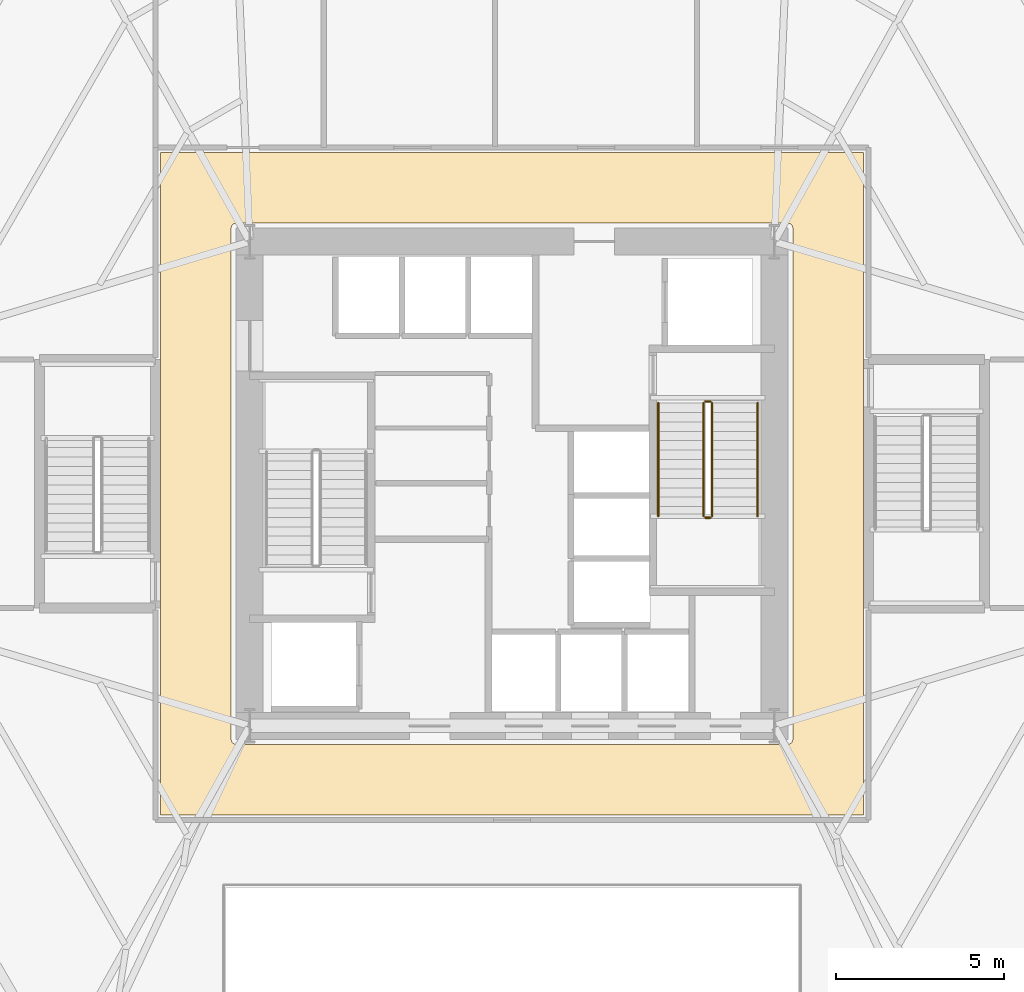
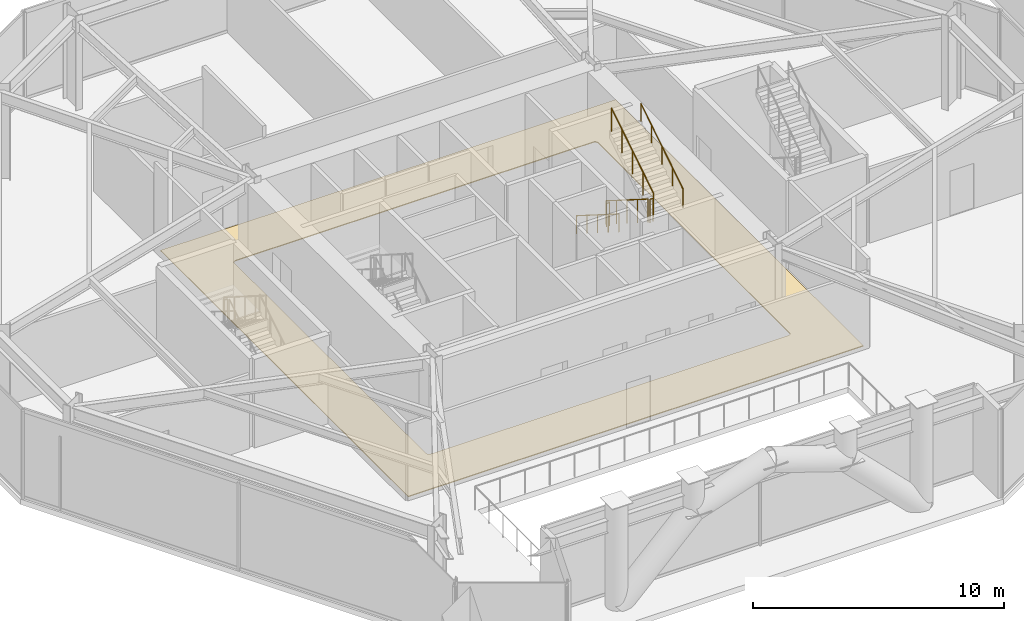
# One storey, part 21 of 23: 6 railings, 1 covering.
"""IFC4 building model written with IfcOpenShell, lengths in metres."""

from ifc_helpers import new_model, si_unit, direction, frame, origin, origin_2d, place, context, subcontext, project, spatial, polyline, circle, outline, extrude, material, layer, layer_set, type_object, element, save


model = new_model("IFC4")

# Units and contexts
model_context = context("Model", 3, precision=1e-05, world=origin(), true_north=direction((0.0, 1.0)))
body_context = subcontext(model_context, "Body", "Model", "MODEL_VIEW")
ifc_project = project(units=[si_unit("LENGTHUNIT", "METRE"), si_unit("AREAUNIT", "SQUARE_METRE"), si_unit("VOLUMEUNIT", "CUBIC_METRE"), si_unit("PLANEANGLEUNIT", "RADIAN"), si_unit("MASSUNIT", "GRAM", prefix="KILO")], contexts=[model_context])

# Site, building, storey
site_placement = place(None, origin())
site = spatial("IfcSite", under=ifc_project, at=site_placement, CompositionType="ELEMENT")
building_placement = place(site_placement, origin())
building = spatial("IfcBuilding", under=site, at=building_placement, Name="Kranzbogen Civic Tower", CompositionType="ELEMENT")
storey_placement = place(building_placement, frame((0.0, 0.0, 14.39990234375)))
storey = spatial("IfcBuildingStorey", under=building, at=storey_placement, Name="L03", CompositionType="ELEMENT", Elevation=14.39990234375)

# Covering
ifc_material_1 = material(Name="Honed Natural Stone Flooring", Category="masonry")
ifc_layer = layer(ifc_material_1, 0.0400390625, Name="Honed Natural Stone Flooring")
ifc_layer_set = layer_set([ifc_layer], Name="Honed Natural Stone Flooring")
covering_type = type_object("IfcCoveringType", Name="Honed Limestone Lobby Flooring 40 mm", PredefinedType="FLOORING", material=ifc_layer_set)
covering_placement = place(storey_placement, origin())
element("IfcCovering", 1, at=covering_placement, inside=storey, type_object=covering_type, Name="L03 honed limestone concourse flooring 1", PredefinedType="FLOORING", context=body_context, shape_type="SweptSolid", body=[
    extrude(outline(polyline([(14.550048828125, 15.14990234375), (14.550048828125, 34.85009765625), (35.449951171875, 34.85009765625), (35.449951171875, 15.14990234375), (14.550048828125, 15.14990234375)]), holes=[polyline([(33.35009765625, 17.39990234375), (33.34912109375, 17.385009765625), (33.346923828125, 17.37109375), (33.343994140625, 17.35595703125), (33.339111328125, 17.343017578125), (33.33203125, 17.3291015625), (33.324951171875, 17.31689453125), (33.31591796875, 17.304931640625), (33.305908203125, 17.2939453125), (33.294921875, 17.283935546875), (33.282958984375, 17.27490234375), (33.27099609375, 17.26806640625), (33.257080078125, 17.260986328125), (33.243896484375, 17.256103515625), (33.22900390625, 17.2529296875), (33.215087890625, 17.2509765625), (33.199951171875, 17.25), (16.800048828125, 17.25), (16.784912109375, 17.2509765625), (16.77099609375, 17.2529296875), (16.756103515625, 17.256103515625), (16.742919921875, 17.260986328125), (16.72900390625, 17.26806640625), (16.717041015625, 17.27490234375), (16.705078125, 17.283935546875), (16.694091796875, 17.2939453125), (16.68408203125, 17.304931640625), (16.675048828125, 17.31689453125), (16.66796875, 17.3291015625), (16.660888671875, 17.343017578125), (16.656005859375, 17.35595703125), (16.653076171875, 17.37109375), (16.65087890625, 17.385009765625), (16.64990234375, 17.39990234375), (16.64990234375, 32.60009765625), (16.65087890625, 32.614990234375), (16.653076171875, 32.62890625), (16.656005859375, 32.64404296875), (16.660888671875, 32.656982421875), (16.66796875, 32.6708984375), (16.675048828125, 32.68310546875), (16.68408203125, 32.695068359375), (16.694091796875, 32.7060546875), (16.705078125, 32.716064453125), (16.717041015625, 32.72509765625), (16.72900390625, 32.73193359375), (16.742919921875, 32.739013671875), (16.756103515625, 32.743896484375), (16.77099609375, 32.7470703125), (16.784912109375, 32.7490234375), (16.800048828125, 32.75), (33.199951171875, 32.75), (33.215087890625, 32.7490234375), (33.22900390625, 32.7470703125), (33.243896484375, 32.743896484375), (33.257080078125, 32.739013671875), (33.27099609375, 32.73193359375), (33.282958984375, 32.72509765625), (33.294921875, 32.716064453125), (33.305908203125, 32.7060546875), (33.31591796875, 32.695068359375), (33.324951171875, 32.68310546875), (33.33203125, 32.6708984375), (33.339111328125, 32.656982421875), (33.343994140625, 32.64404296875), (33.346923828125, 32.62890625), (33.34912109375, 32.614990234375), (33.35009765625, 32.60009765625), (33.35009765625, 17.39990234375)])]), origin(), (0.0, 0.0, 1.0), 0.0400390625),
])

# Railings
ifc_material_2 = material(Name="Steel S355", Category="steel")
railing_type_1 = type_object("IfcRailingType", Name="Internal Stair and Void Steel Guardrail 1150", PredefinedType="GUARDRAIL", material=ifc_material_2)
railing_1_placement = place(storey_placement, frame((30.699951171875, 27.39990234375, 0.177001953125)))
element("IfcRailing", 2, at=railing_1_placement, inside=storey, type_object=railing_type_1, Name="L03 ST-T2 stair guard 1", PredefinedType="GUARDRAIL", context=body_context, shape_type="SweptSolid", body=[
    extrude(circle(Radius=0.02392578125, at=origin_2d()), frame((0.0, 0.0, 1.1259765625), z_axis=(0.0, -0.845372108799, 0.534177870812), x_axis=(1.0, 0.0, 0.0)), (0.0, 0.0, 1.0), 3.974365234375),
    extrude(circle(Radius=0.02099609375, at=origin_2d()), origin(), (0.0, 0.0, 1.0), 1.101806640625),
    extrude(circle(Radius=0.02099609375, at=origin_2d()), frame((0.0, -0.83984375, 0.53076171875)), (0.0, 0.0, 1.0), 1.101806640625),
    extrude(circle(Radius=0.02099609375, at=origin_2d()), frame((0.0, -1.679931640625, 1.0615234375)), (0.0, 0.0, 1.0), 1.101806640625),
    extrude(circle(Radius=0.02099609375, at=origin_2d()), frame((0.0, -2.52001953125, 1.59228515625)), (0.0, 0.0, 1.0), 1.101806640625),
    extrude(circle(Radius=0.02099609375, at=origin_2d()), frame((0.0, -3.35986328125, 2.123046875)), (0.0, 0.0, 1.0), 1.101806640625),
])
railing_2_placement = place(storey_placement, frame((30.75, 23.989990234375, 2.300048828125)))
element("IfcRailing", 3, at=railing_2_placement, inside=storey, type_object=railing_type_1, Name="L03 ST-T2 stair guard 2", PredefinedType="GUARDRAIL", context=body_context, shape_type="SweptSolid", body=[
    extrude(circle(Radius=0.02392578125, at=origin_2d()), frame((0.0, 0.0, 1.1259765625), z_axis=(1.0, 0.0, 0.0), x_axis=(0.0, 1.0, 0.0)), (0.0, 0.0, 1.0), 0.14990234375),
    extrude(circle(Radius=0.02099609375, at=origin_2d()), origin(), (0.0, 0.0, 1.0), 1.101806640625),
    extrude(circle(Radius=0.02099609375, at=origin_2d()), frame((0.14990234375, 0.0, 0.0)), (0.0, 0.0, 1.0), 1.101806640625),
])
railing_3_placement = place(storey_placement, frame((30.949951171875, 24.0400390625, 2.47705078125)))
element("IfcRailing", 4, at=railing_3_placement, inside=storey, type_object=railing_type_1, Name="L03 ST-T2 stair guard 3", PredefinedType="GUARDRAIL", context=body_context, shape_type="SweptSolid", body=[
    extrude(circle(Radius=0.02392578125, at=origin_2d()), frame((0.0, 0.0, 1.1259765625), z_axis=(0.0, 0.845372108799, 0.534177870812), x_axis=(-1.0, 0.0, 0.0)), (0.0, 0.0, 1.0), 3.974365234375),
    extrude(circle(Radius=0.02099609375, at=origin_2d()), origin(), (0.0, 0.0, 1.0), 1.101806640625),
    extrude(circle(Radius=0.02099609375, at=origin_2d()), frame((0.0, 0.83984375, 0.53076171875)), (0.0, 0.0, 1.0), 1.101806640625),
    extrude(circle(Radius=0.02099609375, at=origin_2d()), frame((0.0, 1.679931640625, 1.0615234375)), (0.0, 0.0, 1.0), 1.101806640625),
    extrude(circle(Radius=0.02099609375, at=origin_2d()), frame((0.0, 2.52001953125, 1.59228515625)), (0.0, 0.0, 1.0), 1.101806640625),
    extrude(circle(Radius=0.02099609375, at=origin_2d()), frame((0.0, 3.35986328125, 2.123046875)), (0.0, 0.0, 1.0), 1.101806640625),
])
railing_4_placement = place(storey_placement, frame((30.75, 27.449951171875, 0.0)))
element("IfcRailing", 5, at=railing_4_placement, inside=storey, type_object=railing_type_1, Name="L03 ST-T2 stair guard 4", PredefinedType="GUARDRAIL", context=body_context, shape_type="SweptSolid", body=[
    extrude(circle(Radius=0.02392578125, at=origin_2d()), frame((0.0, 0.0, 1.1259765625), z_axis=(1.0, 0.0, 0.0), x_axis=(0.0, 1.0, 0.0)), (0.0, 0.0, 1.0), 0.14990234375),
    extrude(circle(Radius=0.02099609375, at=origin_2d()), origin(), (0.0, 0.0, 1.0), 1.101806640625),
    extrude(circle(Radius=0.02099609375, at=origin_2d()), frame((0.14990234375, 0.0, 0.0)), (0.0, 0.0, 1.0), 1.101806640625),
])
ifc_material_3 = material(Name="Pale Anodised Aluminium", Category="aluminium")
railing_type_2 = type_object("IfcRailingType", Name="Tubular Stainless Stair Wall Handrail 900", PredefinedType="HANDRAIL", material=ifc_material_3)
railing_5_placement = place(storey_placement, frame((29.35009765625, 27.39990234375, 0.177001953125)))
element("IfcRailing", 6, at=railing_5_placement, inside=storey, type_object=railing_type_2, Name="L03 ST-T2 stair handrail 1", PredefinedType="HANDRAIL", context=body_context, shape_type="SweptSolid", body=[
    extrude(circle(Radius=0.02392578125, at=origin_2d()), frame((0.0, 0.0, 0.8759765625), z_axis=(0.0, -0.845372108799, 0.534177870812), x_axis=(1.0, 0.0, 0.0)), (0.0, 0.0, 1.0), 3.974365234375),
    extrude(circle(Radius=0.02099609375, at=origin_2d()), origin(), (0.0, 0.0, 1.0), 0.851806640625),
    extrude(circle(Radius=0.02099609375, at=origin_2d()), frame((0.0, -0.83984375, 0.53076171875)), (0.0, 0.0, 1.0), 0.851806640625),
    extrude(circle(Radius=0.02099609375, at=origin_2d()), frame((0.0, -1.679931640625, 1.0615234375)), (0.0, 0.0, 1.0), 0.851806640625),
    extrude(circle(Radius=0.02099609375, at=origin_2d()), frame((0.0, -2.52001953125, 1.59228515625)), (0.0, 0.0, 1.0), 0.851806640625),
    extrude(circle(Radius=0.02099609375, at=origin_2d()), frame((0.0, -3.35986328125, 2.123046875)), (0.0, 0.0, 1.0), 0.851806640625),
])
railing_6_placement = place(storey_placement, frame((32.300048828125, 24.0400390625, 2.47705078125)))
element("IfcRailing", 7, at=railing_6_placement, inside=storey, type_object=railing_type_2, Name="L03 ST-T2 stair handrail 2", PredefinedType="HANDRAIL", context=body_context, shape_type="SweptSolid", body=[
    extrude(circle(Radius=0.02392578125, at=origin_2d()), frame((0.0, 0.0, 0.8759765625), z_axis=(0.0, 0.845372108799, 0.534177870812), x_axis=(-1.0, 0.0, 0.0)), (0.0, 0.0, 1.0), 3.974365234375),
    extrude(circle(Radius=0.02099609375, at=origin_2d()), origin(), (0.0, 0.0, 1.0), 0.851806640625),
    extrude(circle(Radius=0.02099609375, at=origin_2d()), frame((0.0, 0.83984375, 0.53076171875)), (0.0, 0.0, 1.0), 0.851806640625),
    extrude(circle(Radius=0.02099609375, at=origin_2d()), frame((0.0, 1.679931640625, 1.0615234375)), (0.0, 0.0, 1.0), 0.851806640625),
    extrude(circle(Radius=0.02099609375, at=origin_2d()), frame((0.0, 2.52001953125, 1.59228515625)), (0.0, 0.0, 1.0), 0.851806640625),
    extrude(circle(Radius=0.02099609375, at=origin_2d()), frame((0.0, 3.35986328125, 2.123046875)), (0.0, 0.0, 1.0), 0.851806640625),
])

save(model, "model.ifc")
